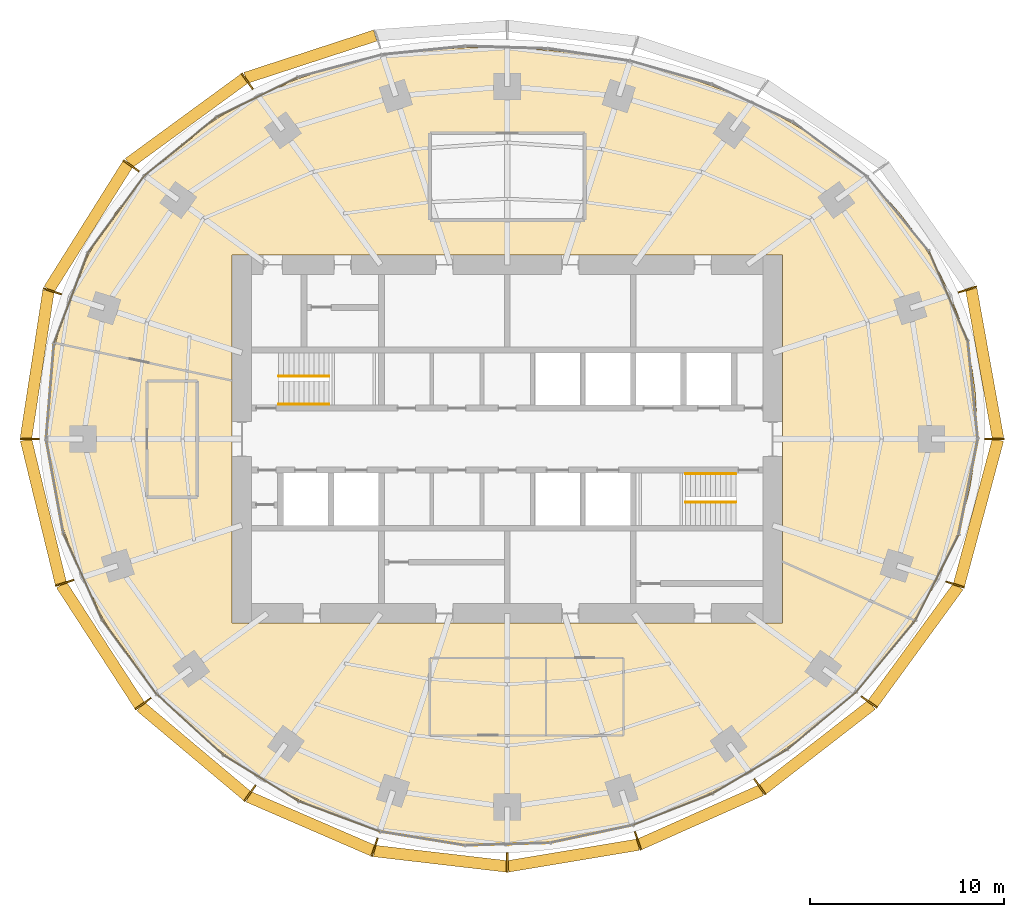
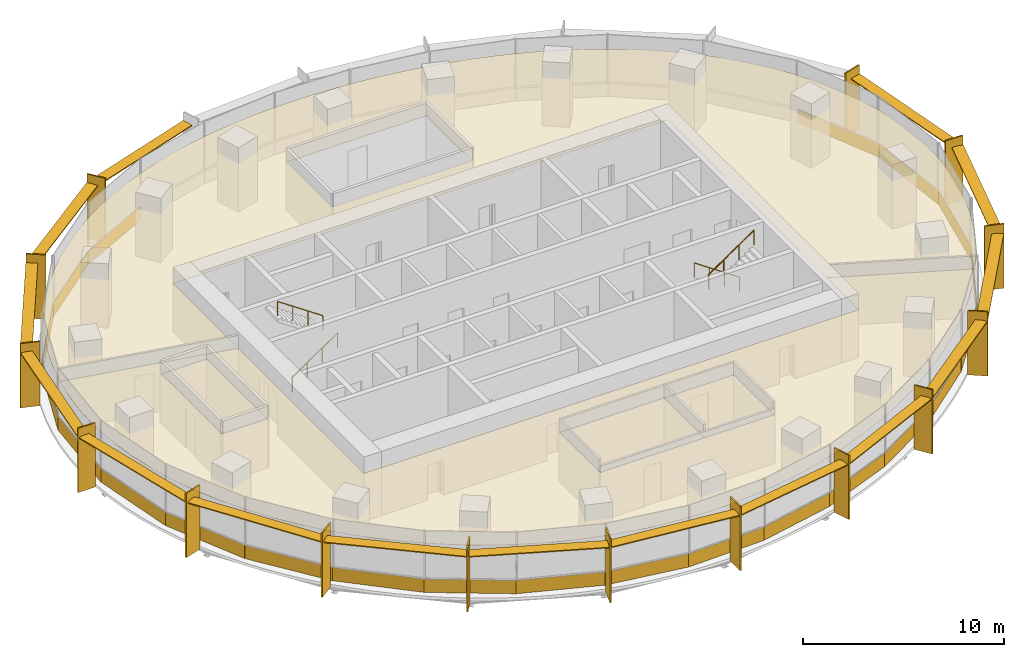
# One storey, part 13 of 14: 30 shading devices, 27 coverings, 4 railings.
"""IFC4 building model written with IfcOpenShell, lengths in metres."""

from ifc_helpers import new_model, si_unit, direction, frame, origin, origin_2d, place, context, subcontext, project, spatial, polyline, rectangle, circle, outline, extrude, material, layer, layer_set, type_object, element, save


model = new_model("IFC4")

# Units and contexts
model_context = context("Model", 3, precision=1e-05, world=origin(), true_north=direction((0.0, 1.0)))
body_context = subcontext(model_context, "Body", "Model", "MODEL_VIEW")
ifc_project = project(units=[si_unit("LENGTHUNIT", "METRE"), si_unit("AREAUNIT", "SQUARE_METRE"), si_unit("VOLUMEUNIT", "CUBIC_METRE"), si_unit("PLANEANGLEUNIT", "RADIAN"), si_unit("MASSUNIT", "GRAM", prefix="KILO")], contexts=[model_context])

# Site, building, storey
site_placement = place(None, origin())
site = spatial("IfcSite", under=ifc_project, at=site_placement, CompositionType="ELEMENT")
building_placement = place(site_placement, origin())
building = spatial("IfcBuilding", under=site, at=building_placement, Name="Marramba Exchange Tower", CompositionType="ELEMENT")
storey_placement = place(building_placement, frame((0.0, 0.0, 222.800048828125)))
storey = spatial("IfcBuildingStorey", under=building, at=storey_placement, Name="L54", CompositionType="ELEMENT", Elevation=222.800048828125)

# Shading devices
ifc_material_1 = material(Name="Aluminium blade, timber-look bronze finish", Category="wood")
ifc_layer_1 = layer(ifc_material_1, 0.080078125)
ifc_layer_set_1 = layer_set([ifc_layer_1], Name="Floor-edge blade 1000x80")
shading_device_type_1 = type_object("IfcShadingDeviceType", Name="Floor-edge blade 1000x80", PredefinedType="USERDEFINED", material=ifc_layer_set_1)
for number, where, z_axis, x_axis, name in (
    (1, (25.14404296875, 0.0, -0.159912109375), (0.0, 0.0, 1.0), (1.0, 0.0, 0.0), "Floor-edge blade FB1 L54 TC01"),
    (2, (23.757080078125, 7.718994140625, -0.159912109375), (0.0, 0.0, 1.0), (0.951056516295, 0.309016994375, 0.0), "Floor-edge blade FB1 L54 TC02"),
    (3, (-13.422607421875, 18.474609375, -0.159912109375), (0.0, 0.0, 1.0), (-0.587785252292, 0.809016994375, 0.0), "Floor-edge blade FB1 L54 TC08"),
    (4, (-19.4140625, 14.105224609375, -0.159912109375), (0.0, 0.0, 1.0), (-0.809016994375, 0.587785252292, 0.0), "Floor-edge blade FB1 L54 TC09"),
    (5, (-23.488525390625, 7.6318359375, -0.159912109375), (0.0, 0.0, 1.0), (-0.951056516295, 0.309016994375, 0.0), "Floor-edge blade FB1 L54 TC10"),
    (6, (-24.656005859375, 0.0, -0.159912109375), (0.0, 0.0, 1.0), (-1.0, 0.0, 0.0), "Floor-edge blade FB1 L54 TC11"),
    (7, (-22.848876953125, -7.424072265625, -0.159912109375), (0.0, 0.0, 1.0), (-0.951056516295, -0.309016994375, 0.0), "Floor-edge blade FB1 L54 TC12"),
    (8, (-18.7998046875, -13.658935546875, -0.159912109375), (0.0, 0.0, 1.0), (-0.809016994375, -0.587785252292, 0.0), "Floor-edge blade FB1 L54 TC13"),
    (9, (-13.2841796875, -18.2841796875, -0.159912109375), (0.0, 0.0, 1.0), (-0.587785252292, -0.809016994375, 0.0), "Floor-edge blade FB1 L54 TC14"),
    (10, (-6.845703125, -21.069091796875, -0.159912109375), (0.0, 0.0, 1.0), (-0.309016994375, -0.951056516295, 0.0), "Floor-edge blade FB1 L54 TC15"),
    (11, (0.0, -21.86376953125, -0.159912109375), (0.0, 0.0, 1.0), (0.0, -1.0, 0.0), "Floor-edge blade FB1 L54 TC16"),
    (12, (6.739501953125, -20.741943359375, -0.159912109375), (0.0, 0.0, 1.0), (0.309016994375, -0.951056516295, 0.0), "Floor-edge blade FB1 L54 TC17"),
    (13, (13.0380859375, -17.9453125, -0.159912109375), (0.0, 0.0, 1.0), (0.587785252292, -0.809016994375, 0.0), "Floor-edge blade FB1 L54 TC18"),
    (14, (18.6845703125, -13.5751953125, -0.159912109375), (0.0, 0.0, 1.0), (0.809016994375, -0.587785252292, 0.0), "Floor-edge blade FB1 L54 TC19"),
    (15, (23.1171875, -7.51123046875, -0.159912109375), (0.0, 0.0, 1.0), (0.951056516295, -0.309016994375, 0.0), "Floor-edge blade FB1 L54 TC20"),
):
    element("IfcShadingDevice", number, at=place(storey_placement, frame(where, z_axis=z_axis, x_axis=x_axis)), inside=storey, type_object=shading_device_type_1, Name=name, ObjectType="FIN", PredefinedType="USERDEFINED", context=body_context, shape_type="SweptSolid", body=[
        extrude(rectangle(XDim=1.0, YDim=0.080078125, at=origin_2d()), origin(), (0.0, 0.0, 1.0), 3.89990234375),
    ])
ifc_material_2 = material(Name="Aluminium sunshade, bronze anodised", Category="aluminium")
ifc_layer_2 = layer(ifc_material_2, 0.06005859375)
ifc_layer_set_2 = layer_set([ifc_layer_2], Name="SUNSHADE blade 600x60")
shading_device_type_2 = type_object("IfcShadingDeviceType", Name="SUNSHADE blade 600x60", PredefinedType="USERDEFINED", material=ifc_layer_set_2)
shading_device_1_placement = place(storey_placement, frame((24.6455078125, 3.890380859375, 3.159912109375), z_axis=(0.0, 0.0, 1.0), x_axis=(-0.176690623809, 0.984266439262, 0.0)))
element("IfcShadingDevice", 16, at=shading_device_1_placement, inside=storey, type_object=shading_device_type_2, Name="Sunshade SS1 L54 bay 01", ObjectType="SUNSHADE", PredefinedType="USERDEFINED", context=body_context, shape_type="SweptSolid", body=[
    extrude(rectangle(XDim=7.8251953125, YDim=0.60009765625, at=origin_2d()), origin(), (0.0, 0.0, 1.0), 0.06005859375),
])
shading_device_2_placement = place(storey_placement, frame((-10.156982421875, 19.741943359375, 3.159912109375), z_axis=(0.0, 0.0, 1.0), x_axis=(-0.950537602937, -0.310609506297, 0.0)))
element("IfcShadingDevice", 17, at=shading_device_2_placement, inside=storey, type_object=shading_device_type_2, Name="Sunshade SS1 L54 bay 07", ObjectType="SUNSHADE", PredefinedType="USERDEFINED", context=body_context, shape_type="SweptSolid", body=[
    extrude(rectangle(XDim=7.03857421875, YDim=0.60009765625, at=origin_2d()), origin(), (0.0, 0.0, 1.0), 0.06005859375),
])
shading_device_3_placement = place(storey_placement, frame((-16.55810546875, 16.4296875, 3.159912109375), z_axis=(0.0, 0.0, 1.0), x_axis=(-0.80719390073, -0.59028637679, 0.0)))
element("IfcShadingDevice", 18, at=shading_device_3_placement, inside=storey, type_object=shading_device_type_2, Name="Sunshade SS1 L54 bay 08", ObjectType="SUNSHADE", PredefinedType="USERDEFINED", context=body_context, shape_type="SweptSolid", body=[
    extrude(rectangle(XDim=7.3974609375, YDim=0.60009765625, at=origin_2d()), origin(), (0.0, 0.0, 1.0), 0.06005859375),
])
shading_device_4_placement = place(storey_placement, frame((-21.62744140625, 10.958251953125, 3.159912109375), z_axis=(0.0, 0.0, 1.0), x_axis=(-0.532082259983, -0.846692664792, 0.0)))
element("IfcShadingDevice", 19, at=shading_device_4_placement, inside=storey, type_object=shading_device_type_2, Name="Sunshade SS1 L54 bay 09", ObjectType="SUNSHADE", PredefinedType="USERDEFINED", context=body_context, shape_type="SweptSolid", body=[
    extrude(rectangle(XDim=7.631103515625, YDim=0.60009765625, at=origin_2d()), origin(), (0.0, 0.0, 1.0), 0.06005859375),
])
shading_device_5_placement = place(storey_placement, frame((-24.267333984375, 3.846923828125, 3.159912109375), z_axis=(0.0, 0.0, 1.0), x_axis=(-0.151240669327, -0.988496970123, 0.0)))
element("IfcShadingDevice", 20, at=shading_device_5_placement, inside=storey, type_object=shading_device_type_2, Name="Sunshade SS1 L54 bay 10", ObjectType="SUNSHADE", PredefinedType="USERDEFINED", context=body_context, shape_type="SweptSolid", body=[
    extrude(rectangle(XDim=7.703369140625, YDim=0.60009765625, at=origin_2d()), origin(), (0.0, 0.0, 1.0), 0.06005859375),
])
shading_device_6_placement = place(storey_placement, frame((-23.947509765625, -3.742919921875, 3.159912109375), z_axis=(0.0, 0.0, 1.0), x_axis=(0.235861488454, -0.971786683519, 0.0)))
element("IfcShadingDevice", 21, at=shading_device_6_placement, inside=storey, type_object=shading_device_type_2, Name="Sunshade SS1 L54 bay 11", ObjectType="SUNSHADE", PredefinedType="USERDEFINED", context=body_context, shape_type="SweptSolid", body=[
    extrude(rectangle(XDim=7.623291015625, YDim=0.60009765625, at=origin_2d()), origin(), (0.0, 0.0, 1.0), 0.06005859375),
])
shading_device_7_placement = place(storey_placement, frame((-21.000244140625, -10.631103515625, 3.159912109375), z_axis=(0.0, 0.0, 1.0), x_axis=(0.543921771105, -0.839135928749, 0.0)))
element("IfcShadingDevice", 22, at=shading_device_7_placement, inside=storey, type_object=shading_device_type_2, Name="Sunshade SS1 L54 bay 12", ObjectType="SUNSHADE", PredefinedType="USERDEFINED", context=body_context, shape_type="SweptSolid", body=[
    extrude(rectangle(XDim=7.41650390625, YDim=0.60009765625, at=origin_2d()), origin(), (0.0, 0.0, 1.0), 0.06005859375),
])
shading_device_8_placement = place(storey_placement, frame((-16.181640625, -16.111083984375, 3.159912109375), z_axis=(0.0, 0.0, 1.0), x_axis=(0.765761970568, -0.643124097225, 0.0)))
element("IfcShadingDevice", 23, at=shading_device_8_placement, inside=storey, type_object=shading_device_type_2, Name="Sunshade SS1 L54 bay 13", ObjectType="SUNSHADE", PredefinedType="USERDEFINED", context=body_context, shape_type="SweptSolid", body=[
    extrude(rectangle(XDim=7.1806640625, YDim=0.60009765625, at=origin_2d()), origin(), (0.0, 0.0, 1.0), 0.06005859375),
])
shading_device_9_placement = place(storey_placement, frame((-10.154541015625, -19.8525390625, 3.159912109375), z_axis=(0.0, 0.0, 1.0), x_axis=(0.917589256742, -0.397529817639, 0.0)))
element("IfcShadingDevice", 24, at=shading_device_9_placement, inside=storey, type_object=shading_device_type_2, Name="Sunshade SS1 L54 bay 14", ObjectType="SUNSHADE", PredefinedType="USERDEFINED", context=body_context, shape_type="SweptSolid", body=[
    extrude(rectangle(XDim=6.997314453125, YDim=0.60009765625, at=origin_2d()), origin(), (0.0, 0.0, 1.0), 0.06005859375),
])
shading_device_10_placement = place(storey_placement, frame((-3.453857421875, -21.66162109375, 3.159912109375), z_axis=(0.0, 0.0, 1.0), x_axis=(0.993288257497, -0.1156651958, 0.0)))
element("IfcShadingDevice", 25, at=shading_device_10_placement, inside=storey, type_object=shading_device_type_2, Name="Sunshade SS1 L54 bay 15", ObjectType="SUNSHADE", PredefinedType="USERDEFINED", context=body_context, shape_type="SweptSolid", body=[
    extrude(rectangle(XDim=6.874267578125, YDim=0.60009765625, at=origin_2d()), origin(), (0.0, 0.0, 1.0), 0.06005859375),
])
shading_device_11_placement = place(storey_placement, frame((3.400634765625, -21.498046875, 3.159912109375), z_axis=(0.0, 0.0, 1.0), x_axis=(0.986439622954, 0.164124557168, 0.0)))
element("IfcShadingDevice", 26, at=shading_device_11_placement, inside=storey, type_object=shading_device_type_2, Name="Sunshade SS1 L54 bay 16", ObjectType="SUNSHADE", PredefinedType="USERDEFINED", context=body_context, shape_type="SweptSolid", body=[
    extrude(rectangle(XDim=6.814697265625, YDim=0.60009765625, at=origin_2d()), origin(), (0.0, 0.0, 1.0), 0.06005859375),
])
shading_device_12_placement = place(storey_placement, frame((9.978515625, -19.519775390625, 3.159912109375), z_axis=(0.0, 0.0, 1.0), x_axis=(0.913771678576, 0.406228161792, 0.0)))
element("IfcShadingDevice", 27, at=shading_device_12_placement, inside=storey, type_object=shading_device_type_2, Name="Sunshade SS1 L54 bay 17", ObjectType="SUNSHADE", PredefinedType="USERDEFINED", context=body_context, shape_type="SweptSolid", body=[
    extrude(rectangle(XDim=6.8740234375, YDim=0.60009765625, at=origin_2d()), origin(), (0.0, 0.0, 1.0), 0.06005859375),
])
shading_device_13_placement = place(storey_placement, frame((16.0009765625, -15.89990234375, 3.159912109375), z_axis=(0.0, 0.0, 1.0), x_axis=(0.790133082515, 0.612935324414, 0.0)))
element("IfcShadingDevice", 28, at=shading_device_13_placement, inside=storey, type_object=shading_device_type_2, Name="Sunshade SS1 L54 bay 18", ObjectType="SUNSHADE", PredefinedType="USERDEFINED", context=body_context, shape_type="SweptSolid", body=[
    extrude(rectangle(XDim=7.122314453125, YDim=0.60009765625, at=origin_2d()), origin(), (0.0, 0.0, 1.0), 0.06005859375),
])
shading_device_14_placement = place(storey_placement, frame((21.076904296875, -10.6328125, 3.159912109375), z_axis=(0.0, 0.0, 1.0), x_axis=(0.589071758439, 0.808080728275, 0.0)))
element("IfcShadingDevice", 29, at=shading_device_14_placement, inside=storey, type_object=shading_device_type_2, Name="Sunshade SS1 L54 bay 19", ObjectType="SUNSHADE", PredefinedType="USERDEFINED", context=body_context, shape_type="SweptSolid", body=[
    extrude(rectangle(XDim=7.4931640625, YDim=0.60009765625, at=origin_2d()), origin(), (0.0, 0.0, 1.0), 0.06005859375),
])
shading_device_15_placement = place(storey_placement, frame((24.32568359375, -3.78662109375, 3.159912109375), z_axis=(0.0, 0.0, 1.0), x_axis=(0.259692365654, 0.965691397508, 0.0)))
element("IfcShadingDevice", 30, at=shading_device_15_placement, inside=storey, type_object=shading_device_type_2, Name="Sunshade SS1 L54 bay 20", ObjectType="SUNSHADE", PredefinedType="USERDEFINED", context=body_context, shape_type="SweptSolid", body=[
    extrude(rectangle(XDim=7.76220703125, YDim=0.60009765625, at=origin_2d()), origin(), (0.0, 0.0, 1.0), 0.06005859375),
])

# Coverings
ifc_material_3 = material(Name="Aluminium spandrel panel, bronze anodised, insulated", Category="aluminium")
ifc_layer_3 = layer(ifc_material_3, 0.050048828125)
ifc_layer_set_3 = layer_set([ifc_layer_3], Name="Spandrel panel 800")
covering_type_1 = type_object("IfcCoveringType", Name="Spandrel panel 800", PredefinedType="CLADDING", material=ifc_layer_set_3)
covering_1_placement = place(storey_placement, frame((24.036376953125, 2.527099609375, 0.0), z_axis=(0.0, 0.0, 1.0), x_axis=(-0.101422478545, 0.994843445395, 0.0)))
element("IfcCovering", 31, at=covering_1_placement, inside=storey, type_object=covering_type_1, Name="Spandrel panel SP1 L54 F01", PredefinedType="CLADDING", context=body_context, shape_type="SweptSolid", body=[
    extrude(rectangle(XDim=5.08056640625, YDim=0.050048828125, at=origin_2d()), origin(), (0.0, 0.0, 1.0), 0.800048828125),
])
covering_2_placement = place(storey_placement, frame((22.77734375, 7.374755859375, 0.0), z_axis=(0.0, 0.0, 1.0), x_axis=(-0.396193349205, 0.918167103552, 0.0)))
element("IfcCovering", 32, at=covering_2_placement, inside=storey, type_object=covering_type_1, Name="Spandrel panel SP1 L54 F02", PredefinedType="CLADDING", context=body_context, shape_type="SweptSolid", body=[
    extrude(rectangle(XDim=5.0546875, YDim=0.050048828125, at=origin_2d()), origin(), (0.0, 0.0, 1.0), 0.800048828125),
])
covering_3_placement = place(storey_placement, frame((-12.88818359375, 17.666748046875, 0.0), z_axis=(0.0, 0.0, 1.0), x_axis=(-0.898500520314, -0.438972453572, 0.0)))
element("IfcCovering", 33, at=covering_3_placement, inside=storey, type_object=covering_type_1, Name="Spandrel panel SP1 L54 F11", PredefinedType="CLADDING", context=body_context, shape_type="SweptSolid", body=[
    extrude(rectangle(XDim=4.667236328125, YDim=0.050048828125, at=origin_2d()), origin(), (0.0, 0.0, 1.0), 0.800048828125),
])
covering_4_placement = place(storey_placement, frame((-16.855712890625, 15.1240234375, 0.0), z_axis=(0.0, 0.0, 1.0), x_axis=(-0.776432169123, -0.630200830491, 0.0)))
element("IfcCovering", 34, at=covering_4_placement, inside=storey, type_object=covering_type_1, Name="Spandrel panel SP1 L54 F12", PredefinedType="CLADDING", context=body_context, shape_type="SweptSolid", body=[
    extrude(rectangle(XDim=4.81884765625, YDim=0.050048828125, at=origin_2d()), origin(), (0.0, 0.0, 1.0), 0.800048828125),
])
covering_5_placement = place(storey_placement, frame((-20.184326171875, 11.62060546875, 0.0), z_axis=(0.0, 0.0, 1.0), x_axis=(-0.591962919465, -0.805965198987, 0.0)))
element("IfcCovering", 35, at=covering_5_placement, inside=storey, type_object=covering_type_1, Name="Spandrel panel SP1 L54 F13", PredefinedType="CLADDING", context=body_context, shape_type="SweptSolid", body=[
    extrude(rectangle(XDim=4.925537109375, YDim=0.050048828125, at=origin_2d()), origin(), (0.0, 0.0, 1.0), 0.800048828125),
])
covering_6_placement = place(storey_placement, frame((-22.518798828125, 7.30419921875, 0.0), z_axis=(0.0, 0.0, 1.0), x_axis=(-0.351951514464, -0.936018232443, 0.0)))
element("IfcCovering", 36, at=covering_6_placement, inside=storey, type_object=covering_type_1, Name="Spandrel panel SP1 L54 F14", PredefinedType="CLADDING", context=body_context, shape_type="SweptSolid", body=[
    extrude(rectangle(XDim=4.981689453125, YDim=0.050048828125, at=origin_2d()), origin(), (0.0, 0.0, 1.0), 0.800048828125),
])
covering_7_placement = place(storey_placement, frame((-23.600830078125, 2.486328125, 0.0), z_axis=(0.0, 0.0, 1.0), x_axis=(-0.082280881776, -0.996609179415, 0.0)))
element("IfcCovering", 37, at=covering_7_placement, inside=storey, type_object=covering_type_1, Name="Spandrel panel SP1 L54 F15", PredefinedType="CLADDING", context=body_context, shape_type="SweptSolid", body=[
    extrude(rectangle(XDim=4.98974609375, YDim=0.050048828125, at=origin_2d()), origin(), (0.0, 0.0, 1.0), 0.800048828125),
])
covering_8_placement = place(storey_placement, frame((-23.359619140625, -2.43505859375, 0.0), z_axis=(0.0, 0.0, 1.0), x_axis=(0.180327442841, -0.983606635479, 0.0)))
element("IfcCovering", 38, at=covering_8_placement, inside=storey, type_object=covering_type_1, Name="Spandrel panel SP1 L54 F16", PredefinedType="CLADDING", context=body_context, shape_type="SweptSolid", body=[
    extrude(rectangle(XDim=4.951416015625, YDim=0.050048828125, at=origin_2d()), origin(), (0.0, 0.0, 1.0), 0.800048828125),
])
covering_9_placement = place(storey_placement, frame((-21.920654296875, -7.093994140625, 0.0), z_axis=(0.0, 0.0, 1.0), x_axis=(0.407557582153, -0.913179509861, 0.0)))
element("IfcCovering", 39, at=covering_9_placement, inside=storey, type_object=covering_type_1, Name="Spandrel panel SP1 L54 F17", PredefinedType="CLADDING", context=body_context, shape_type="SweptSolid", body=[
    extrude(rectangle(XDim=4.870361328125, YDim=0.050048828125, at=origin_2d()), origin(), (0.0, 0.0, 1.0), 0.800048828125),
])
covering_10_placement = place(storey_placement, frame((-19.520263671875, -11.238525390625, 0.0), z_axis=(0.0, 0.0, 1.0), x_axis=(0.591223097085, -0.80650805915, 0.0)))
element("IfcCovering", 40, at=covering_10_placement, inside=storey, type_object=covering_type_1, Name="Spandrel panel SP1 L54 F18", PredefinedType="CLADDING", context=body_context, shape_type="SweptSolid", body=[
    extrude(rectangle(XDim=4.762939453125, YDim=0.050048828125, at=origin_2d()), origin(), (0.0, 0.0, 1.0), 0.800048828125),
])
covering_11_placement = place(storey_placement, frame((-16.396240234375, -14.73193359375, 0.0), z_axis=(0.0, 0.0, 1.0), x_axis=(0.737203259599, -0.67567103981, 0.0)))
element("IfcCovering", 41, at=covering_11_placement, inside=storey, type_object=covering_type_1, Name="Spandrel panel SP1 L54 F19", PredefinedType="CLADDING", context=body_context, shape_type="SweptSolid", body=[
    extrude(rectangle(XDim=4.65478515625, YDim=0.050048828125, at=origin_2d()), origin(), (0.0, 0.0, 1.0), 0.800048828125),
])
covering_12_placement = place(storey_placement, frame((-12.73583984375, -17.497802734375, 0.0), z_axis=(0.0, 0.0, 1.0), x_axis=(0.852301010692, -0.52305161043, 0.0)))
element("IfcCovering", 42, at=covering_12_placement, inside=storey, type_object=covering_type_1, Name="Spandrel panel SP1 L54 F20", PredefinedType="CLADDING", context=body_context, shape_type="SweptSolid", body=[
    extrude(rectangle(XDim=4.563232421875, YDim=0.050048828125, at=origin_2d()), origin(), (0.0, 0.0, 1.0), 0.800048828125),
])
covering_13_placement = place(storey_placement, frame((-8.687255859375, -19.47607421875, 0.0), z_axis=(0.0, 0.0, 1.0), x_axis=(0.936951581946, -0.349459200892, 0.0)))
element("IfcCovering", 43, at=covering_13_placement, inside=storey, type_object=covering_type_1, Name="Spandrel panel SP1 L54 F21", PredefinedType="CLADDING", context=body_context, shape_type="SweptSolid", body=[
    extrude(rectangle(XDim=4.491455078125, YDim=0.050048828125, at=origin_2d()), origin(), (0.0, 0.0, 1.0), 0.800048828125),
])
covering_14_placement = place(storey_placement, frame((-4.393798828125, -20.6181640625, 0.0), z_axis=(0.0, 0.0, 1.0), x_axis=(0.98693062179, -0.161145734582, 0.0)))
element("IfcCovering", 44, at=covering_14_placement, inside=storey, type_object=covering_type_1, Name="Spandrel panel SP1 L54 F22", PredefinedType="CLADDING", context=body_context, shape_type="SweptSolid", body=[
    extrude(rectangle(XDim=4.4365234375, YDim=0.050048828125, at=origin_2d()), origin(), (0.0, 0.0, 1.0), 0.800048828125),
])
covering_15_placement = place(storey_placement, frame((-0.0068359375, -20.9111328125, 0.0), z_axis=(0.0, 0.0, 1.0), x_axis=(0.99956791932, 0.02939344597, 0.0)))
element("IfcCovering", 45, at=covering_15_placement, inside=storey, type_object=covering_type_1, Name="Spandrel panel SP1 L54 F23", PredefinedType="CLADDING", context=body_context, shape_type="SweptSolid", body=[
    extrude(rectangle(XDim=4.3974609375, YDim=0.050048828125, at=origin_2d()), origin(), (0.0, 0.0, 1.0), 0.800048828125),
])
covering_16_placement = place(storey_placement, frame((4.333984375, -20.389892578125, 0.0), z_axis=(0.0, 0.0, 1.0), x_axis=(0.978058068956, 0.208332459664, 0.0)))
element("IfcCovering", 46, at=covering_16_placement, inside=storey, type_object=covering_type_1, Name="Spandrel panel SP1 L54 F24", PredefinedType="CLADDING", context=body_context, shape_type="SweptSolid", body=[
    extrude(rectangle(XDim=4.3818359375, YDim=0.050048828125, at=origin_2d()), origin(), (0.0, 0.0, 1.0), 0.800048828125),
])
covering_17_placement = place(storey_placement, frame((8.525390625, -19.124267578125, 0.0), z_axis=(0.0, 0.0, 1.0), x_axis=(0.93007301151, 0.367374731386, 0.0)))
element("IfcCovering", 47, at=covering_17_placement, inside=storey, type_object=covering_type_1, Name="Spandrel panel SP1 L54 F25", PredefinedType="CLADDING", context=body_context, shape_type="SweptSolid", body=[
    extrude(rectangle(XDim=4.405517578125, YDim=0.050048828125, at=origin_2d()), origin(), (0.0, 0.0, 1.0), 0.800048828125),
])
covering_18_placement = place(storey_placement, frame((12.50634765625, -17.175537109375, 0.0), z_axis=(0.0, 0.0, 1.0), x_axis=(0.861350829898, 0.508010578466, 0.0)))
element("IfcCovering", 48, at=covering_18_placement, inside=storey, type_object=covering_type_1, Name="Spandrel panel SP1 L54 F26", PredefinedType="CLADDING", context=body_context, shape_type="SweptSolid", body=[
    extrude(rectangle(XDim=4.486572265625, YDim=0.050048828125, at=origin_2d()), origin(), (0.0, 0.0, 1.0), 0.800048828125),
])
covering_19_placement = place(storey_placement, frame((16.2177734375, -14.5556640625, 0.0), z_axis=(0.0, 0.0, 1.0), x_axis=(0.768736803132, 0.639565264465, 0.0)))
element("IfcCovering", 49, at=covering_19_placement, inside=storey, type_object=covering_type_1, Name="Spandrel panel SP1 L54 F27", PredefinedType="CLADDING", context=body_context, shape_type="SweptSolid", body=[
    extrude(rectangle(XDim=4.628662109375, YDim=0.050048828125, at=origin_2d()), origin(), (0.0, 0.0, 1.0), 0.800048828125),
])
covering_20_placement = place(storey_placement, frame((19.529541015625, -11.2265625, 0.0), z_axis=(0.0, 0.0, 1.0), x_axis=(0.638149992226, 0.769912064733, 0.0)))
element("IfcCovering", 50, at=covering_20_placement, inside=storey, type_object=covering_type_1, Name="Spandrel panel SP1 L54 F28", PredefinedType="CLADDING", context=body_context, shape_type="SweptSolid", body=[
    extrude(rectangle(XDim=4.80322265625, YDim=0.050048828125, at=origin_2d()), origin(), (0.0, 0.0, 1.0), 0.800048828125),
])
covering_21_placement = place(storey_placement, frame((22.17919921875, -7.16455078125, 0.0), z_axis=(0.0, 0.0, 1.0), x_axis=(0.450673091404, 0.892689063832, 0.0)))
element("IfcCovering", 51, at=covering_21_placement, inside=storey, type_object=covering_type_1, Name="Spandrel panel SP1 L54 F29", PredefinedType="CLADDING", context=body_context, shape_type="SweptSolid", body=[
    extrude(rectangle(XDim=4.957763671875, YDim=0.050048828125, at=origin_2d()), origin(), (0.0, 0.0, 1.0), 0.800048828125),
])
covering_22_placement = place(storey_placement, frame((23.795166015625, -2.475830078125, 0.0), z_axis=(0.0, 0.0, 1.0), x_axis=(0.197495401381, 0.980303813332, 0.0)))
element("IfcCovering", 52, at=covering_22_placement, inside=storey, type_object=covering_type_1, Name="Spandrel panel SP1 L54 F30", PredefinedType="CLADDING", context=body_context, shape_type="SweptSolid", body=[
    extrude(rectangle(XDim=5.05126953125, YDim=0.050048828125, at=origin_2d()), origin(), (0.0, 0.0, 1.0), 0.800048828125),
])

# Railings
ifc_material_4 = material(Name="Stainless steel handrail", Category="steel")
railing_type = type_object("IfcRailingType", Name="Stair handrail 900", PredefinedType="HANDRAIL", material=ifc_material_4)
railing_1_placement = place(storey_placement, frame((-11.800048828125, 1.800048828125, 0.17724609375)))
element("IfcRailing", 53, at=railing_1_placement, inside=storey, type_object=railing_type, Name="Handrail HR1 ST1 L54 flight 1", PredefinedType="HANDRAIL", context=body_context, shape_type="SweptSolid", body=[
    extrude(circle(Radius=0.02392578125, at=origin_2d()), frame((0.0, 0.0, 0.8759765625), z_axis=(0.826240473404, 0.0, 0.563317565952), x_axis=(0.0, 1.0, 0.0)), (0.0, 0.0, 1.0), 3.14697265625),
    extrude(circle(Radius=0.02099609375, at=origin_2d()), origin(), (0.0, 0.0, 1.0), 0.851806640625),
    extrude(circle(Radius=0.02099609375, at=origin_2d()), frame((0.86669921875, 0.0, 0.5908203125)), (0.0, 0.0, 1.0), 0.851806640625),
    extrude(circle(Radius=0.02099609375, at=origin_2d()), frame((1.7333984375, 0.0, 1.181884765625)), (0.0, 0.0, 1.0), 0.851806640625),
    extrude(circle(Radius=0.02099609375, at=origin_2d()), frame((2.60009765625, 0.0, 1.772705078125)), (0.0, 0.0, 1.0), 0.851806640625),
])
for number, where, name in (
    (54, (-9.199951171875, 3.25, 2.127197265625), "Handrail HR1 ST1 L54 flight 2"),
    (55, (11.800048828125, -1.800048828125, 0.17724609375), "Handrail HR1 ST2 L54 flight 1"),
):
    element("IfcRailing", number, at=place(storey_placement, frame(where)), inside=storey, type_object=railing_type, Name=name, PredefinedType="HANDRAIL", context=body_context, shape_type="SweptSolid", body=[
        extrude(circle(Radius=0.02392578125, at=origin_2d()), frame((0.0, 0.0, 0.8759765625), z_axis=(-0.826240473404, 0.0, 0.563317565952), x_axis=(0.0, -1.0, 0.0)), (0.0, 0.0, 1.0), 3.14697265625),
        extrude(circle(Radius=0.02099609375, at=origin_2d()), origin(), (0.0, 0.0, 1.0), 0.851806640625),
        extrude(circle(Radius=0.02099609375, at=origin_2d()), frame((-0.86669921875, 0.0, 0.5908203125)), (0.0, 0.0, 1.0), 0.851806640625),
        extrude(circle(Radius=0.02099609375, at=origin_2d()), frame((-1.7333984375, 0.0, 1.181884765625)), (0.0, 0.0, 1.0), 0.851806640625),
        extrude(circle(Radius=0.02099609375, at=origin_2d()), frame((-2.60009765625, 0.0, 1.772705078125)), (0.0, 0.0, 1.0), 0.851806640625),
    ])
railing_2_placement = place(storey_placement, frame((9.199951171875, -3.25, 2.127197265625)))
element("IfcRailing", 56, at=railing_2_placement, inside=storey, type_object=railing_type, Name="Handrail HR1 ST2 L54 flight 2", PredefinedType="HANDRAIL", context=body_context, shape_type="SweptSolid", body=[
    extrude(circle(Radius=0.02392578125, at=origin_2d()), frame((0.0, 0.0, 0.8759765625), z_axis=(0.826240473404, 0.0, 0.563317565952), x_axis=(0.0, 1.0, 0.0)), (0.0, 0.0, 1.0), 3.14697265625),
    extrude(circle(Radius=0.02099609375, at=origin_2d()), origin(), (0.0, 0.0, 1.0), 0.851806640625),
    extrude(circle(Radius=0.02099609375, at=origin_2d()), frame((0.86669921875, 0.0, 0.5908203125)), (0.0, 0.0, 1.0), 0.851806640625),
    extrude(circle(Radius=0.02099609375, at=origin_2d()), frame((1.7333984375, 0.0, 1.181884765625)), (0.0, 0.0, 1.0), 0.851806640625),
    extrude(circle(Radius=0.02099609375, at=origin_2d()), frame((2.60009765625, 0.0, 1.772705078125)), (0.0, 0.0, 1.0), 0.851806640625),
])

# Coverings
ifc_material_5 = material(Name="Mineral fibre ceiling tiles", Category="gypsum")
ifc_layer_4 = layer(ifc_material_5, 0.02001953125)
ifc_layer_set_4 = layer_set([ifc_layer_4], Name="Suspended ceiling 20")
covering_type_2 = type_object("IfcCoveringType", Name="Suspended ceiling 20", PredefinedType="CEILING", material=ifc_layer_set_4)
covering_23_placement = place(storey_placement, frame((0.0, 0.0, 2.89990234375)))
element("IfcCovering", 57, at=covering_23_placement, inside=storey, type_object=covering_type_2, Name="Ceiling CL1 L54 Research Analyst Office", PredefinedType="CEILING", context=body_context, shape_type="SweptSolid", body=[
    extrude(outline(polyline([(-14.199951171875, 9.5), (-14.199951171875, 3.018310546875), (-23.317138671875, 4.956298828125), (-23.002197265625, 6.163330078125), (-22.604248046875, 7.344482421875), (-22.125244140625, 8.4931640625), (-21.569091796875, 9.603271484375), (-20.939697265625, 10.669189453125), (-20.24169921875, 11.6865234375), (-19.48046875, 12.650634765625), (-18.66162109375, 13.55859375), (-17.79150390625, 14.4072265625), (-16.87548828125, 15.19482421875), (-15.920166015625, 15.920166015625), (-14.931396484375, 16.5830078125), (-13.914794921875, 17.183349609375), (-12.8759765625, 17.722412109375), (-11.820068359375, 18.201171875), (-10.75146484375, 18.621826171875), (-9.67431640625, 18.98681640625), (-8.59228515625, 19.29833984375), (-7.50830078125, 19.559326171875), (-6.424560546875, 19.77294921875), (-5.34326171875, 19.941650390625), (-4.265625, 20.068603515625), (-3.1923828125, 20.15625), (-2.123779296875, 20.20703125), (-1.059814453125, 20.22314453125), (0.0, 20.206298828125), (1.056396484375, 20.15771484375), (2.1103515625, 20.077880859375), (3.16259765625, 19.96728515625), (4.214111328125, 19.82568359375), (5.265869140625, 19.65234375), (6.318359375, 19.445556640625), (7.371826171875, 19.2041015625), (8.426025390625, 18.92529296875), (9.480712890625, 18.60693359375), (10.5341796875, 18.245849609375), (11.584716796875, 17.839111328125), (12.6298828125, 17.383544921875), (13.666259765625, 16.87646484375), (14.689453125, 16.314453125), (15.695068359375, 15.695068359375), (16.67724609375, 15.016357421875), (17.6298828125, 14.276611328125), (18.54638671875, 13.474853515625), (19.41943359375, 12.611083984375), (20.24169921875, 11.6865234375), (21.00537109375, 10.70263671875), (21.702880859375, 9.662841796875), (22.32763671875, 8.57080078125), (22.87255859375, 7.431640625), (23.331787109375, 6.251708984375), (23.700439453125, 5.03759765625), (23.974853515625, 3.797119140625), (24.15234375, 2.53857421875), (24.23193359375, 1.27001953125), (24.214111328125, 0.0), (24.10009765625, -1.262939453125), (23.89306640625, -2.51123046875), (23.597412109375, -3.737548828125), (23.218017578125, -4.935302734375), (22.760986328125, -6.098876953125), (22.23291015625, -7.223876953125), (21.639892578125, -8.306884765625), (20.989013671875, -9.344970703125), (14.199951171875, -6.322265625), (14.199951171875, 9.5), (-14.199951171875, 9.5)]), holes=[polyline([(4.0, 15.800048828125), (-4.0, 15.800048828125), (-4.0, 11.300048828125), (4.0, 11.300048828125), (4.0, 15.800048828125)])]), origin(), (0.0, 0.0, 1.0), 0.02001953125),
])
covering_24_placement = place(storey_placement, frame((0.0, 0.0, 2.89990234375)))
element("IfcCovering", 58, at=covering_24_placement, inside=storey, type_object=covering_type_2, Name="Ceiling CL1 L54 Portfolio Office", PredefinedType="CEILING", context=body_context, shape_type="SweptSolid", body=[
    extrude(outline(polyline([(19.539794921875, -11.28125), (18.753173828125, -12.178466796875), (17.93212890625, -13.028564453125), (17.08154296875, -13.832275390625), (16.204833984375, -14.5908203125), (15.30517578125, -15.30517578125), (14.38525390625, -15.976318359375), (13.44677734375, -16.60546875), (12.491455078125, -17.193115234375), (11.520263671875, -17.73974609375), (10.5341796875, -18.245849609375), (9.53369140625, -18.711181640625), (8.51953125, -19.13525390625), (7.4921875, -19.517578125), (6.4521484375, -19.857421875), (5.400146484375, -20.153564453125), (4.337158203125, -20.404541015625), (3.26416015625, -20.609619140625), (2.1826171875, -20.766845703125), (1.093994140625, -20.875244140625), (0.0, -20.93359375), (-1.097412109375, -20.94091796875), (-2.1962890625, -20.89599609375), (-3.294189453125, -20.79833984375), (-4.388916015625, -20.6474609375), (-5.477783203125, -20.44287109375), (-6.558349609375, -20.184814453125), (-7.62841796875, -19.873046875), (-8.685546875, -19.50830078125), (-9.727294921875, -19.091064453125), (-10.75146484375, -18.621826171875), (-11.755615234375, -18.101806640625), (-12.737548828125, -17.53173828125), (-13.6953125, -16.912353515625), (-14.626953125, -16.2451171875), (-15.5302734375, -15.5302734375), (-16.403076171875, -14.769287109375), (-17.242919921875, -13.962890625), (-18.04736328125, -13.1123046875), (-18.81396484375, -12.218017578125), (-19.539794921875, -11.28125), (-20.22119140625, -10.30322265625), (-20.85498046875, -9.285400390625), (-21.4375, -8.22900390625), (-21.96435546875, -7.13671875), (-22.431640625, -6.010498046875), (-22.8349609375, -4.853759765625), (-23.169921875, -3.669677734375), (-23.432373046875, -2.462890625), (-23.618896484375, -1.23779296875), (-23.72607421875, 0.0), (-23.7509765625, 1.24462890625), (-23.691650390625, 2.489990234375), (-23.547119140625, 3.7294921875), (-23.317138671875, 4.956298828125), (-14.199951171875, 3.018310546875), (-14.199951171875, -9.5), (14.199951171875, -9.5), (14.199951171875, -6.322265625), (20.989013671875, -9.344970703125), (20.286865234375, -10.336669921875), (19.539794921875, -11.28125)]), holes=[polyline([(2.0, -15.300048828125), (6.0, -15.300048828125), (6.0, -11.300048828125), (2.0, -11.300048828125), (-4.0, -11.300048828125), (-4.0, -15.300048828125), (2.0, -15.300048828125)]), polyline([(-18.60009765625, -3.0), (-16.0, -3.0), (-16.0, 3.0), (-18.60009765625, 3.0), (-18.60009765625, -3.0)])]), origin(), (0.0, 0.0, 1.0), 0.02001953125),
])
covering_25_placement = place(storey_placement, frame((0.0, 0.0, 2.89990234375)))
element("IfcCovering", 59, at=covering_25_placement, inside=storey, type_object=covering_type_2, Name="Ceiling CL1 L54 Pantry", PredefinedType="CEILING", context=body_context, shape_type="SweptSolid", body=[
    extrude(outline(polyline([(2.0, -15.300048828125), (-4.0, -15.300048828125), (-4.0, -11.300048828125), (2.0, -11.300048828125), (2.0, -15.300048828125)])), origin(), (0.0, 0.0, 1.0), 0.02001953125),
])
covering_26_placement = place(storey_placement, frame((0.0, 0.0, 2.89990234375)))
element("IfcCovering", 60, at=covering_26_placement, inside=storey, type_object=covering_type_2, Name="Ceiling CL1 L54 Print Room", PredefinedType="CEILING", context=body_context, shape_type="SweptSolid", body=[
    extrude(outline(polyline([(6.0, -15.300048828125), (2.0, -15.300048828125), (2.0, -11.300048828125), (6.0, -11.300048828125), (6.0, -15.300048828125)])), origin(), (0.0, 0.0, 1.0), 0.02001953125),
])
covering_27_placement = place(storey_placement, frame((0.0, 0.0, 2.89990234375)))
element("IfcCovering", 61, at=covering_27_placement, inside=storey, type_object=covering_type_2, Name="Ceiling CL1 L54 Quiet Room", PredefinedType="CEILING", context=body_context, shape_type="SweptSolid", body=[
    extrude(outline(polyline([(-16.0, -3.0), (-18.60009765625, -3.0), (-18.60009765625, 3.0), (-16.0, 3.0), (-16.0, -3.0)])), origin(), (0.0, 0.0, 1.0), 0.02001953125),
])

save(model, "model.ifc")
